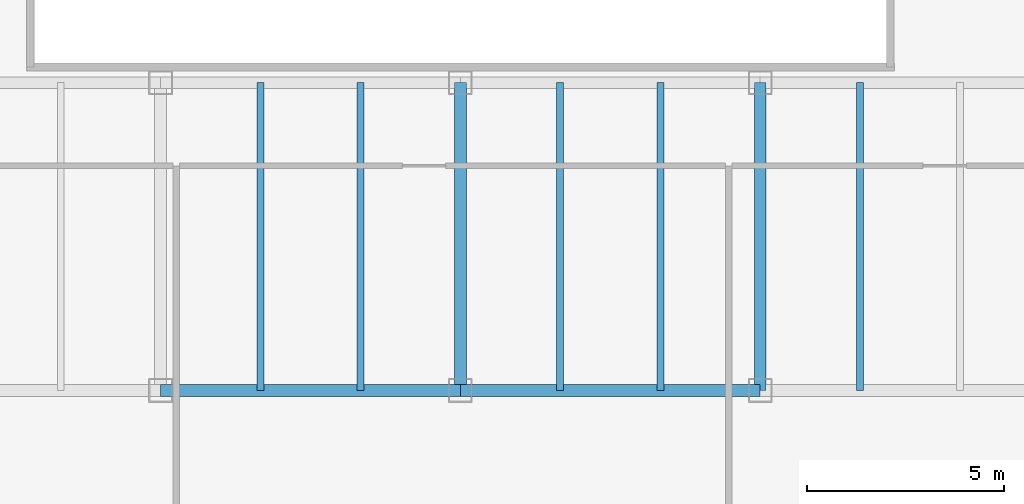
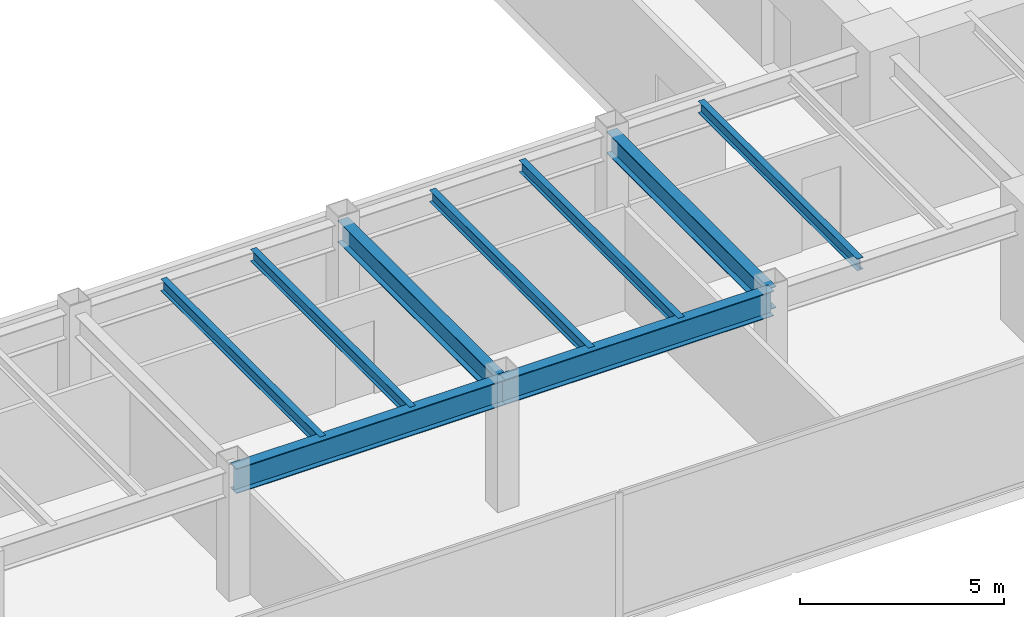
# One storey, part 9 of 31: 9 beams.
"""IFC4 building model written with IfcOpenShell, lengths in metres."""

from ifc_helpers import new_model, si_unit, direction, frame, origin, origin_2d, place, context, subcontext, project, spatial, i_section, extrude, source, transform, mapped, material, material_profile, profile_set, type_object, type_shapes, element, save


model = new_model("IFC4")

# Units and contexts
model_context = context("Model", 3, precision=1e-05, world=origin(), true_north=direction((0.0, 1.0)))
body_context = subcontext(model_context, "Body", "Model", "MODEL_VIEW")
ifc_project = project(units=[si_unit("LENGTHUNIT", "METRE"), si_unit("AREAUNIT", "SQUARE_METRE"), si_unit("VOLUMEUNIT", "CUBIC_METRE"), si_unit("PLANEANGLEUNIT", "RADIAN"), si_unit("MASSUNIT", "GRAM", prefix="KILO")], contexts=[model_context])

# Site, building, storey
site_placement = place(None, origin())
site = spatial("IfcSite", under=ifc_project, at=site_placement, CompositionType="ELEMENT")
building_placement = place(site_placement, origin())
building = spatial("IfcBuilding", under=site, at=building_placement, Name="Haelvirn Gate Laboratories", CompositionType="ELEMENT")
storey_placement = place(building_placement, frame((0.0, 0.0, 62.10009765625)))
storey = spatial("IfcBuildingStorey", under=building, at=storey_placement, Name="L15", CompositionType="ELEMENT", Elevation=62.10009765625)

# Beams
ifc_material = material(Name="Steel SM355", Category="steel")
ifc_material_profile_1 = material_profile(ifc_material, i_section(OverallWidth=0.300048828125, OverallDepth=0.75, WebThickness=0.013916015625, FlangeThickness=0.02392578125, at=origin_2d()), Name="H-750x300x14x24")
ifc_profile_set_1 = profile_set([ifc_material_profile_1], Name="Steel SM355")
beam_type_1 = type_object("IfcBeamType", Name="BM-G-750", PredefinedType="BEAM", material=ifc_profile_set_1)
shared_shape_1 = source(origin(), body_context, "Body", "SweptSolid", [
    extrude(i_section(OverallWidth=0.300048828125, OverallDepth=0.75, WebThickness=0.013916015625, FlangeThickness=0.02392578125, at=origin_2d()), origin(), (0.0, 0.0, 1.0), 7.60009765625),
])
beam_1_placement = place(storey_placement, frame((37.39990234375, 7.0, 3.40478515625), z_axis=(1.0, 0.0, 0.0), x_axis=(0.0, 1.0, 0.0)))
element("IfcBeam", 1, at=beam_1_placement, inside=storey, type_object=beam_type_1, Name="L15 Primary Girder Y7.0 (37.4-45.0)", PredefinedType="BEAM", context=body_context, shape_type="MappedRepresentation", body=[
    mapped(shared_shape_1, transform((0.0, 0.0, 0.0), scale=1.0)),
])
shared_shape_2 = source(origin(), body_context, "Body", "SweptSolid", [
    extrude(i_section(OverallWidth=0.300048828125, OverallDepth=0.75, WebThickness=0.013916015625, FlangeThickness=0.02392578125, at=origin_2d()), origin(), (0.0, 0.0, 1.0), 7.599853515625),
])
type_shapes(beam_type_1, [shared_shape_1, shared_shape_2])
beam_2_placement = place(storey_placement, frame((29.800048828125, 7.0, 3.40478515625), z_axis=(1.0, 0.0, 0.0), x_axis=(0.0, 1.0, 0.0)))
element("IfcBeam", 2, at=beam_2_placement, inside=storey, type_object=beam_type_1, Name="L15 Primary Girder Y7.0 (29.8-37.4)", PredefinedType="BEAM", context=body_context, shape_type="MappedRepresentation", body=[
    mapped(shared_shape_2, transform((0.0, 0.0, 0.0), scale=1.0)),
])
ifc_material_profile_2 = material_profile(ifc_material, i_section(OverallWidth=0.175048828125, OverallDepth=0.35009765625, WebThickness=0.007080078125, FlangeThickness=0.010986328125, at=origin_2d()), Name="H-350x175x7x11")
ifc_profile_set_2 = profile_set([ifc_material_profile_2], Name="Steel SM355")
beam_type_2 = type_object("IfcBeamType", Name="BM-J-350", PredefinedType="JOIST", material=ifc_profile_set_2)
shared_shape_3 = source(origin(), body_context, "Body", "SweptSolid", [
    extrude(i_section(OverallWidth=0.175048828125, OverallDepth=0.35009765625, WebThickness=0.007080078125, FlangeThickness=0.010986328125, at=origin_2d()), origin(), (0.0, 0.0, 1.0), 7.800048828125),
])
type_shapes(beam_type_2, [shared_shape_3])
for number, where, z_axis, x_axis, name in (
    (3, (32.330078125, 7.0, 3.60498046875), (0.0, 1.0, 0.0), (-1.0, 0.0, 0.0), "L15 Composite Lab Joist South X32.33"),
    (4, (34.8701171875, 7.0, 3.60498046875), (0.0, 1.0, 0.0), (-1.0, 0.0, 0.0), "L15 Composite Lab Joist South X34.87"),
    (5, (39.929931640625, 7.0, 3.60498046875), (0.0, 1.0, 0.0), (-1.0, 0.0, 0.0), "L15 Composite Lab Joist South X39.93"),
    (6, (42.469970703125, 7.0, 3.60498046875), (0.0, 1.0, 0.0), (-1.0, 0.0, 0.0), "L15 Composite Lab Joist South X42.47"),
    (7, (47.530029296875, 7.0, 3.60498046875), (0.0, 1.0, 0.0), (-1.0, 0.0, 0.0), "L15 Composite Lab Joist South X47.53"),
):
    element("IfcBeam", number, at=place(storey_placement, frame(where, z_axis=z_axis, x_axis=x_axis)), inside=storey, type_object=beam_type_2, Name=name, PredefinedType="JOIST", context=body_context, shape_type="MappedRepresentation", body=[
        mapped(shared_shape_3, transform((0.0, 0.0, 0.0), scale=1.0)),
    ])
ifc_material_profile_3 = material_profile(ifc_material, i_section(OverallWidth=0.300048828125, OverallDepth=0.64990234375, WebThickness=0.012939453125, FlangeThickness=0.02197265625, at=origin_2d()), Name="H-650x300x13x22")
ifc_profile_set_3 = profile_set([ifc_material_profile_3], Name="Steel SM355")
beam_type_3 = type_object("IfcBeamType", Name="BM-G-650", PredefinedType="BEAM", material=ifc_profile_set_3)
shared_shape_4 = source(origin(), body_context, "Body", "SweptSolid", [
    extrude(i_section(OverallWidth=0.300048828125, OverallDepth=0.64990234375, WebThickness=0.012939453125, FlangeThickness=0.02197265625, at=origin_2d()), origin(), (0.0, 0.0, 1.0), 7.800048828125),
])
type_shapes(beam_type_3, [shared_shape_4])
for number, where, z_axis, x_axis, name in (
    (8, (37.39990234375, 7.0, 3.454833984375), (0.0, 1.0, 0.0), (-1.0, 0.0, 0.0), "L15 Frame Girder X37.4 (7.0-14.8)"),
    (9, (45.0, 7.0, 3.454833984375), (0.0, 1.0, 0.0), (-1.0, 0.0, 0.0), "L15 Frame Girder X45.0 (7.0-14.8)"),
):
    element("IfcBeam", number, at=place(storey_placement, frame(where, z_axis=z_axis, x_axis=x_axis)), inside=storey, type_object=beam_type_3, Name=name, PredefinedType="BEAM", context=body_context, shape_type="MappedRepresentation", body=[
        mapped(shared_shape_4, transform((0.0, 0.0, 0.0), scale=1.0)),
    ])

save(model, "model.ifc")
